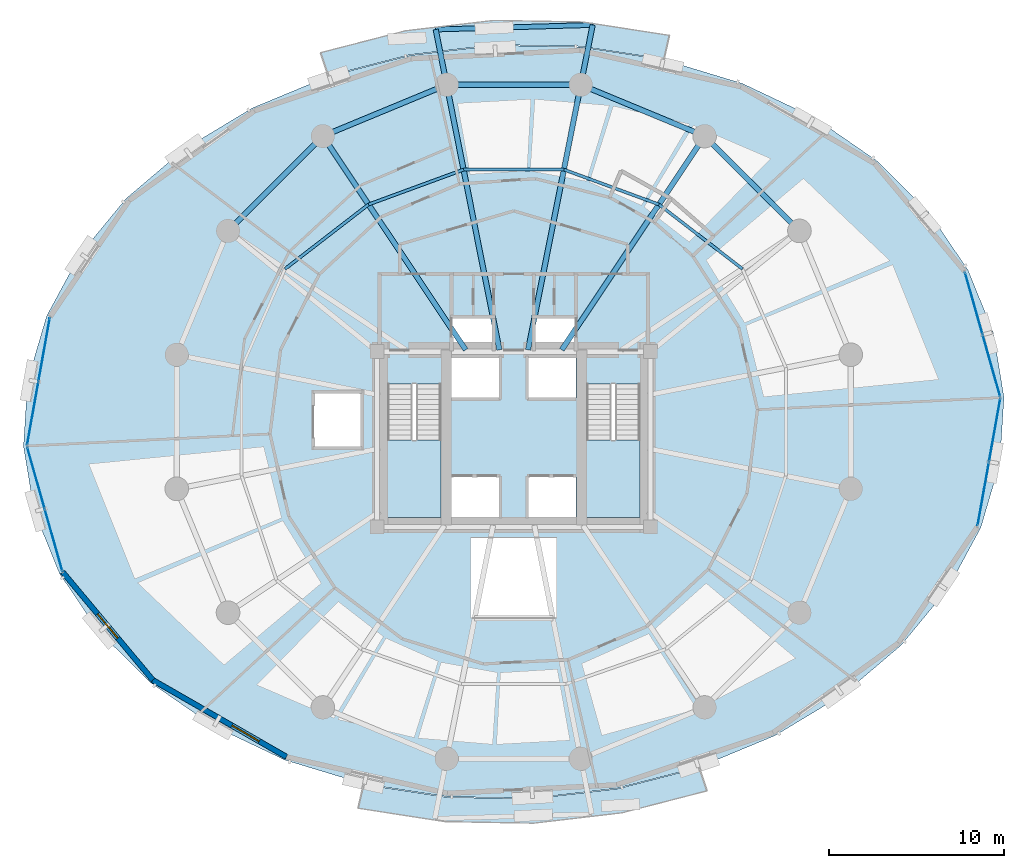
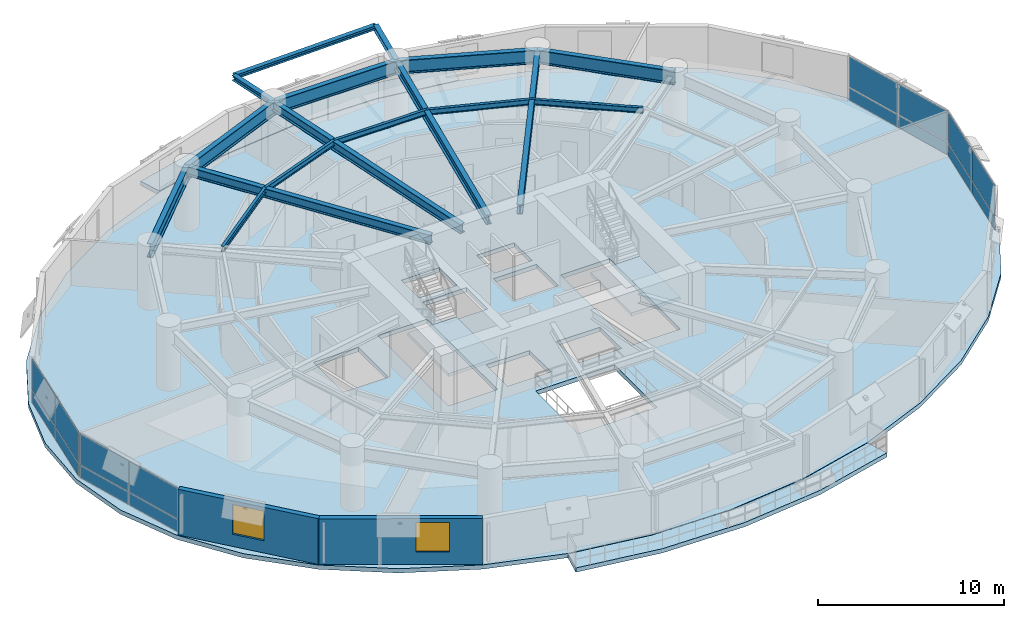
# One storey, part 9 of 16: 17 beams, 16 plates, 5 slabs, 2 walls, 2 windows, 2 openings, 6 elements without a shape of their own.
"""IFC4 building model written with IfcOpenShell, lengths in metres."""

import ifcopenshell
import ifcopenshell.guid

model = None  # the IFC model being written
_history = None  # IfcOwnerHistory: only IFC2X3 demands one
_inside = {}  # id of a spatial element -> (the spatial element, [elements in it])
_under = {}  # id of a project, library or spatial element -> (it, [spatial elements below it])
_declared = {}  # id of a project -> (the project, [libraries it declares])
_typed = {}  # id of a type object -> (the type object, [elements of that type])
_made_of = {}  # id of a material, layer set ... -> (it, [elements and type objects made of it])


def new_model(schema):
    """Start an empty IFC model of exactly this schema.

    Asked for "IFC4X3", IfcOpenShell would pick the latest addendum, in which some entities
    have other attributes; the version numbers below select the first issue.
    IFC2X3 requires an IfcOwnerHistory on every rooted entity: one is made here for all.
    """
    global model, _history
    if schema == "IFC4X3":
        model = ifcopenshell.file(schema_version=(4, 3, 0, 0))
    else:
        model = ifcopenshell.file(schema=schema)
    _inside.clear()
    _under.clear()
    _declared.clear()
    _typed.clear()
    _made_of.clear()
    _history = None
    if model.schema == "IFC2X3":
        org = make("IfcOrganization", Name="unknown")
        user = make(
            "IfcPersonAndOrganization",
            ThePerson=make("IfcPerson", FamilyName="unknown"),
            TheOrganization=org,
        )
        app = make(
            "IfcApplication",
            ApplicationDeveloper=org,
            Version="unknown",
            ApplicationFullName="unknown",
            ApplicationIdentifier="unknown",
        )
        _history = make(
            "IfcOwnerHistory",
            OwningUser=user,
            OwningApplication=app,
            ChangeAction="ADDED",
            CreationDate=0,
        )
    return model


def make(cls, **values):
    """One entity of the class cls with the attributes given. An attribute that is None is left unset."""
    return model.create_entity(
        cls, **{name: value for name, value in values.items() if value is not None}
    )


def rooted(cls, **values):
    """An entity with a GlobalId (a new one), such as an element, a storey or a relation."""
    return make(cls, GlobalId=ifcopenshell.guid.new(), OwnerHistory=_history, **values)


def si_unit(unit_type, name, prefix=None):
    """IfcSIUnit, for example si_unit("LENGTHUNIT", "METRE", prefix="MILLI")."""
    return make("IfcSIUnit", UnitType=unit_type, Prefix=prefix, Name=name)


def assignment(units):
    """IfcUnitAssignment: the units of a project."""
    return None if units is None else make("IfcUnitAssignment", Units=units)


def point(xyz):
    """IfcCartesianPoint."""
    return None if xyz is None else make("IfcCartesianPoint", Coordinates=xyz)


def direction(xyz):
    """IfcDirection."""
    return None if xyz is None else make("IfcDirection", DirectionRatios=xyz)


def frame(location, z_axis=None, x_axis=None):
    """IfcAxis2Placement3D, a coordinate frame: its origin and axes. An axis left out is left unset."""
    return make(
        "IfcAxis2Placement3D",
        Location=point(location),
        Axis=direction(z_axis),
        RefDirection=direction(x_axis),
    )


def frame_2d(location, x_axis=None):
    """IfcAxis2Placement2D, a coordinate frame in the plane: its origin and x axis."""
    return make(
        "IfcAxis2Placement2D", Location=point(location), RefDirection=direction(x_axis)
    )


def origin():
    """The frame at (0, 0, 0) with its axes left unset."""
    return frame((0.0, 0.0, 0.0))


def origin_2d():
    """The frame at (0, 0) in the plane with its x axis left unset."""
    return frame_2d((0.0, 0.0))


def place(relative_to, where):
    """IfcLocalPlacement: puts the frame where relative to a parent placement (None: the world)."""
    return make(
        "IfcLocalPlacement", PlacementRelTo=relative_to, RelativePlacement=where
    )


def context(
    kind, dimensions, precision=None, world=None, true_north=None, identifier=None
):
    """IfcGeometricRepresentationContext, for example the 3D "Model" context."""
    return make(
        "IfcGeometricRepresentationContext",
        ContextIdentifier=identifier,
        ContextType=kind,
        CoordinateSpaceDimension=dimensions,
        Precision=precision,
        WorldCoordinateSystem=world,
        TrueNorth=true_north,
    )


def subcontext(parent, identifier, kind, view, scale=None):
    """IfcGeometricRepresentationSubContext, for example "Body" below "Model"."""
    return make(
        "IfcGeometricRepresentationSubContext",
        ContextIdentifier=identifier,
        ContextType=kind,
        ParentContext=parent,
        TargetScale=scale,
        TargetView=view,
    )


def project(units=None, contexts=None):
    """IfcProject with its units and contexts."""
    return rooted(
        "IfcProject",
        Name="project",
        RepresentationContexts=contexts,
        UnitsInContext=assignment(units),
    )


def spatial(cls, under=None, at=None, **own):
    """A site, building, storey or space (cls), placed at a placement, below another one or the project."""
    s = rooted(cls, ObjectPlacement=at, **own)
    if under is not None:
        _under.setdefault(under.id(), (under, []))[1].append(s)
    return s


def polyline(points):
    """IfcPolyline through the points."""
    return make("IfcPolyline", Points=[point(p) for p in points])


def profile(cls, at=None, kind="AREA", **sizes):
    """A parametric profile (cls). Its sizes go by their IFC names, for example OverallWidth=200.0."""
    return make(cls, ProfileType=kind, Position=at, **sizes)


def rectangle(**sizes):
    """IfcRectangleProfileDef."""
    return profile("IfcRectangleProfileDef", **sizes)


def i_section(**sizes):
    """IfcIShapeProfileDef."""
    return profile("IfcIShapeProfileDef", **sizes)


def outline(outer, holes=None, kind="AREA"):
    """IfcArbitraryClosedProfileDef: a profile drawn as a closed curve; with holes, ...WithVoids."""
    if holes is None:
        return make("IfcArbitraryClosedProfileDef", ProfileType=kind, OuterCurve=outer)
    return make(
        "IfcArbitraryProfileDefWithVoids",
        ProfileType=kind,
        OuterCurve=outer,
        InnerCurves=holes,
    )


def extrude(swept, where, along, depth):
    """IfcExtrudedAreaSolid: the profile swept, set in the frame where, extruded along a direction by depth."""
    return make(
        "IfcExtrudedAreaSolid",
        SweptArea=swept,
        Position=where,
        ExtrudedDirection=direction(along),
        Depth=depth,
    )


def shape(context_of_items, identifier, shape_type, items):
    """IfcShapeRepresentation: the items that make up one representation, for example the "Body"."""
    return make(
        "IfcShapeRepresentation",
        ContextOfItems=context_of_items,
        RepresentationIdentifier=identifier,
        RepresentationType=shape_type,
        Items=items,
    )


def material(Name=None, Category=None):
    """IfcMaterial."""
    return make("IfcMaterial", Name=Name, Category=Category)


def layer(
    of_material, thickness, ventilated=None, Name=None, Category=None, Priority=None
):
    """IfcMaterialLayer: one layer of a wall or slab, of a material (None: an air gap)."""
    return make(
        "IfcMaterialLayer",
        Material=of_material,
        LayerThickness=thickness,
        IsVentilated=ventilated,
        Name=Name,
        Category=Category,
        Priority=Priority,
    )


def layer_set(layers, Name=None):
    """IfcMaterialLayerSet."""
    return make("IfcMaterialLayerSet", MaterialLayers=layers, LayerSetName=Name)


def material_profile(
    of_material, cross_section, Name=None, Category=None, Priority=None
):
    """IfcMaterialProfile: a cross section and its material."""
    return make(
        "IfcMaterialProfile",
        Name=Name,
        Material=of_material,
        Profile=cross_section,
        Priority=Priority,
        Category=Category,
    )


def profile_set(profiles, Name=None, composite=None):
    """IfcMaterialProfileSet."""
    return make(
        "IfcMaterialProfileSet",
        Name=Name,
        MaterialProfiles=profiles,
        CompositeProfile=composite,
    )


def made_of(thing, what):
    """Note that an element or type object is made of a material, layer set ...; save() writes the relation."""
    if what is not None:
        _made_of.setdefault(what.id(), (what, []))[1].append(thing)
    return thing


def type_object(cls, material=None, **own):
    """A type object (cls), such as IfcWallType, which elements share."""
    return made_of(rooted(cls, **own), material)


def element(
    cls,
    number,
    at=None,
    inside=None,
    cuts=None,
    type_object=None,
    material=None,
    context=None,
    identifier="Body",
    shape_type=None,
    held_by="IfcProductDefinitionShape",
    body=None,
    shapes=None,
    **own,
):
    """One element of the class cls, such as IfcWall. Its Tag is "e" and its number.

    at: its placement. inside: the storey or other place that contains it. cuts: it is an
    opening in that element (IfcRelVoidsElement). A single representation is given by context,
    identifier, shape_type and body (its items); several are given by shapes. held_by: the class
    of the entity that holds the representations. save() writes the other relations.
    """
    e = rooted(cls, Tag="e%d" % number, ObjectPlacement=at, **own)
    if body is not None:
        shapes = [shape(context, identifier, shape_type, body)]
    if shapes is not None:
        e.Representation = make(held_by, Representations=shapes)
    if inside is not None:
        _inside.setdefault(inside.id(), (inside, []))[1].append(e)
    if cuts is not None:
        rooted(
            "IfcRelVoidsElement", RelatingBuildingElement=cuts, RelatedOpeningElement=e
        )
    if type_object is not None:
        _typed.setdefault(type_object.id(), (type_object, []))[1].append(e)
    return made_of(e, material)


def fill(opening, filler):
    """IfcRelFillsElement: the door or window that sits in an opening."""
    return rooted(
        "IfcRelFillsElement",
        RelatingOpeningElement=opening,
        RelatedBuildingElement=filler,
    )


def aggregate(whole, parts):
    """IfcRelAggregates: a whole, such as a stair, and the parts it consists of."""
    return rooted("IfcRelAggregates", RelatingObject=whole, RelatedObjects=parts)


def save(model, path):
    """Write the relations noted so far, then the file.

    IfcRelAggregates (storeys below a building ...), IfcRelContainedInSpatialStructure (elements
    in a storey), IfcRelDefinesByType, IfcRelAssociatesMaterial and IfcRelDeclares: one each for
    every whole, place, type object, material and project.
    """
    for whole, parts in _under.values():
        aggregate(whole, parts)
    for where, things in _inside.values():
        rooted(
            "IfcRelContainedInSpatialStructure",
            RelatedElements=things,
            RelatingStructure=where,
        )
    for kind, things in _typed.values():
        rooted("IfcRelDefinesByType", RelatedObjects=things, RelatingType=kind)
    for what, things in _made_of.values():
        rooted("IfcRelAssociatesMaterial", RelatedObjects=things, RelatingMaterial=what)
    for by, libraries in _declared.values():
        rooted("IfcRelDeclares", RelatingContext=by, RelatedDefinitions=libraries)
    model.write(path)


model = new_model("IFC4")

# Units and contexts
model_context = context("Model", 3, precision=1e-05, world=origin(), true_north=direction((0.0, 1.0)))
body_context = subcontext(model_context, "Body", "Model", "MODEL_VIEW")
ifc_project = project(units=[si_unit("LENGTHUNIT", "METRE"), si_unit("AREAUNIT", "SQUARE_METRE"), si_unit("VOLUMEUNIT", "CUBIC_METRE"), si_unit("PLANEANGLEUNIT", "RADIAN"), si_unit("MASSUNIT", "GRAM", prefix="KILO"), si_unit("THERMODYNAMICTEMPERATUREUNIT", "KELVIN"), si_unit("POWERUNIT", "WATT")], contexts=[model_context])

# Site, building, storey
site_placement = place(None, origin())
site = spatial("IfcSite", under=ifc_project, at=site_placement, CompositionType="ELEMENT")
building_placement = place(site_placement, origin())
building = spatial("IfcBuilding", under=site, at=building_placement, Name="Ocrelia Relay Tower", CompositionType="ELEMENT")
storey_placement = place(building_placement, frame((0.0, 0.0, 42.60009765625)))
storey = spatial("IfcBuildingStorey", under=building, at=storey_placement, Name="L09", CompositionType="ELEMENT", Elevation=42.60009765625)

# Beams
ifc_material_1 = material(Name="Steel S355", Category="steel")
ifc_material_profile_1 = material_profile(ifc_material_1, i_section(OverallWidth=0.280029296875, OverallDepth=0.27001953125, WebThickness=0.008056640625, FlangeThickness=0.012939453125, FilletRadius=0.02392578125, at=origin_2d()), Name="HEA 280")
ifc_profile_set_1 = profile_set([ifc_material_profile_1], Name="Steel S355")
beam_type_1 = type_object("IfcBeamType", Name="BM-HEA280", PredefinedType="BEAM", material=ifc_profile_set_1)
beam_1_placement = place(storey_placement, frame((38.502685546875, 48.63671875, 3.784912109375), z_axis=(-0.999584964148, -0.028807975436, 0.0), x_axis=(0.028807975436, -0.999584964148, 0.0)))
element("IfcBeam", 1, at=beam_1_placement, inside=storey, type_object=beam_type_1, Name="L10 Balcony Edge Trimmer Beam B1", PredefinedType="BEAM", context=body_context, shape_type="SweptSolid", body=[
    extrude(i_section(OverallWidth=0.280029296875, OverallDepth=0.27001953125, WebThickness=0.008056640625, FlangeThickness=0.012939453125, FilletRadius=0.02392578125, at=origin_2d()), origin(), (0.0, 0.0, 1.0), 8.957763671875),
])
ifc_material_profile_2 = material_profile(ifc_material_1, i_section(OverallWidth=0.300048828125, OverallDepth=0.330078125, WebThickness=0.009521484375, FlangeThickness=0.0166015625, FilletRadius=0.027099609375, at=origin_2d()), Name="HEA 340")
ifc_profile_set_2 = profile_set([ifc_material_profile_2], Name="Steel S355")
beam_type_2 = type_object("IfcBeamType", Name="BM-HEA340", PredefinedType="BEAM", material=ifc_profile_set_2)
beam_2_placement = place(storey_placement, frame((37.82373046875, 45.223388671875, 3.7548828125), z_axis=(0.195090739838, 0.980785197293, 0.0), x_axis=(-0.980785197293, 0.195090739838, 0.0)))
element("IfcBeam", 2, at=beam_2_placement, inside=storey, type_object=beam_type_2, Name="L10 Balcony Cantilever Beam B1-1", PredefinedType="BEAM", context=body_context, shape_type="SweptSolid", body=[
    extrude(i_section(OverallWidth=0.300048828125, OverallDepth=0.330078125, WebThickness=0.009521484375, FlangeThickness=0.0166015625, FilletRadius=0.027099609375, at=origin_2d()), origin(), (0.0, 0.0, 1.0), 3.480224609375),
])
beam_3_placement = place(storey_placement, frame((30.17626953125, 45.223388671875, 3.7548828125), z_axis=(-0.195109051167, 0.980781554758, 0.0), x_axis=(-0.980781554758, -0.195109051167, 0.0)))
element("IfcBeam", 3, at=beam_3_placement, inside=storey, type_object=beam_type_2, Name="L10 Balcony Cantilever Beam B1-2", PredefinedType="BEAM", context=body_context, shape_type="SweptSolid", body=[
    extrude(i_section(OverallWidth=0.300048828125, OverallDepth=0.330078125, WebThickness=0.009521484375, FlangeThickness=0.0166015625, FilletRadius=0.027099609375, at=origin_2d()), origin(), (0.0, 0.0, 1.0), 3.217041015625),
])
ifc_material_profile_3 = material_profile(ifc_material_1, i_section(OverallWidth=0.300048828125, OverallDepth=0.60009765625, WebThickness=0.015380859375, FlangeThickness=0.030029296875, FilletRadius=0.027099609375, at=origin_2d()), Name="HEB 600")
ifc_profile_set_3 = profile_set([ifc_material_profile_3], Name="Steel S355")
beam_type_3 = type_object("IfcBeamType", Name="BM-HEB600", PredefinedType="BEAM", material=ifc_profile_set_3)
beam_4_placement = place(storey_placement, frame((44.88916015625, 42.296875, 3.619873046875), z_axis=(-0.555564422059, -0.831473495033, 0.0), x_axis=(0.831473495033, -0.555564422059, 0.0)))
element("IfcBeam", 4, at=beam_4_placement, inside=storey, type_object=beam_type_3, Name="L09 Radial Floor Girder R03", PredefinedType="BEAM", context=body_context, shape_type="SweptSolid", body=[
    extrude(i_section(OverallWidth=0.300048828125, OverallDepth=0.60009765625, WebThickness=0.015380859375, FlangeThickness=0.030029296875, FilletRadius=0.027099609375, at=origin_2d()), origin(), (0.0, 0.0, 1.0), 14.6630859375),
])
for number, where, z_axis, x_axis, name in (
    (5, (37.82373046875, 45.223388671875, 3.619873046875), (-0.19509567956, -0.980784214706, 0.0), (0.980784214706, -0.19509567956, 0.0), "L09 Radial Floor Girder R04"),
    (6, (30.17626953125, 45.223388671875, 3.619873046875), (0.19509567956, -0.980784214706, 0.0), (0.980784214706, 0.19509567956, 0.0), "L09 Radial Floor Girder R05"),
):
    element("IfcBeam", number, at=place(storey_placement, frame(where, z_axis=z_axis, x_axis=x_axis)), inside=storey, type_object=beam_type_3, Name=name, PredefinedType="BEAM", context=body_context, shape_type="SweptSolid", body=[
        extrude(i_section(OverallWidth=0.300048828125, OverallDepth=0.60009765625, WebThickness=0.015380859375, FlangeThickness=0.030029296875, FilletRadius=0.027099609375, at=origin_2d()), origin(), (0.0, 0.0, 1.0), 15.41455078125),
    ])
beam_5_placement = place(storey_placement, frame((23.11083984375, 42.296875, 3.619873046875), z_axis=(0.555564422059, -0.831473495033, 0.0), x_axis=(0.831473495033, 0.555564422059, 0.0)))
element("IfcBeam", 7, at=beam_5_placement, inside=storey, type_object=beam_type_3, Name="L09 Radial Floor Girder R06", PredefinedType="BEAM", context=body_context, shape_type="SweptSolid", body=[
    extrude(i_section(OverallWidth=0.300048828125, OverallDepth=0.60009765625, WebThickness=0.015380859375, FlangeThickness=0.030029296875, FilletRadius=0.027099609375, at=origin_2d()), origin(), (0.0, 0.0, 1.0), 14.6630859375),
])
ifc_material_profile_4 = material_profile(ifc_material_1, i_section(OverallWidth=0.300048828125, OverallDepth=0.89990234375, WebThickness=0.0185546875, FlangeThickness=0.034912109375, FilletRadius=0.030029296875, at=origin_2d()), Name="HEB 900")
ifc_profile_set_4 = profile_set([ifc_material_profile_4], Name="Steel S355")
beam_type_4 = type_object("IfcBeamType", Name="BM-HEB900", PredefinedType="BEAM", material=ifc_profile_set_4)
beam_6_placement = place(storey_placement, frame((50.296875, 36.88916015625, 3.469970703125), z_axis=(-0.707106781187, 0.707106781187, 0.0), x_axis=(-0.707106781187, -0.707106781187, 0.0)))
element("IfcBeam", 8, at=beam_6_placement, inside=storey, type_object=beam_type_4, Name="L09 Perimeter Spandrel Beam S02", PredefinedType="BEAM", context=body_context, shape_type="SweptSolid", body=[
    extrude(i_section(OverallWidth=0.300048828125, OverallDepth=0.89990234375, WebThickness=0.0185546875, FlangeThickness=0.034912109375, FilletRadius=0.030029296875, at=origin_2d()), origin(), (0.0, 0.0, 1.0), 7.647705078125),
])
for number, where, z_axis, x_axis, name in (
    (9, (44.88916015625, 42.296875, 3.469970703125), (-0.923883375589, 0.382674154222, 0.0), (-0.382674154222, -0.923883375589, 0.0), "L09 Perimeter Spandrel Beam S03"),
    (10, (37.82373046875, 45.223388671875, 3.469970703125), (-1.0, 0.0, 0.0), (0.0, -1.0, 0.0), "L09 Perimeter Spandrel Beam S04"),
    (11, (30.17626953125, 45.223388671875, 3.469970703125), (-0.923883375589, -0.382674154222, 0.0), (0.382674154222, -0.923883375589, 0.0), "L09 Perimeter Spandrel Beam S05"),
):
    element("IfcBeam", number, at=place(storey_placement, frame(where, z_axis=z_axis, x_axis=x_axis)), inside=storey, type_object=beam_type_4, Name=name, PredefinedType="BEAM", context=body_context, shape_type="SweptSolid", body=[
        extrude(i_section(OverallWidth=0.300048828125, OverallDepth=0.89990234375, WebThickness=0.0185546875, FlangeThickness=0.034912109375, FilletRadius=0.030029296875, at=origin_2d()), origin(), (0.0, 0.0, 1.0), 7.6474609375),
    ])
beam_7_placement = place(storey_placement, frame((23.11083984375, 42.296875, 3.469970703125), z_axis=(-0.707106781187, -0.707106781187, 0.0), x_axis=(0.707106781187, -0.707106781187, 0.0)))
element("IfcBeam", 12, at=beam_7_placement, inside=storey, type_object=beam_type_4, Name="L09 Perimeter Spandrel Beam S06", PredefinedType="BEAM", context=body_context, shape_type="SweptSolid", body=[
    extrude(i_section(OverallWidth=0.300048828125, OverallDepth=0.89990234375, WebThickness=0.0185546875, FlangeThickness=0.034912109375, FilletRadius=0.030029296875, at=origin_2d()), origin(), (0.0, 0.0, 1.0), 7.647705078125),
])
ifc_material_profile_5 = material_profile(ifc_material_1, i_section(OverallWidth=0.169921875, OverallDepth=0.360107421875, WebThickness=0.008056640625, FlangeThickness=0.0126953125, FilletRadius=0.01806640625, at=origin_2d()), Name="IPE 360")
ifc_profile_set_5 = profile_set([ifc_material_profile_5], Name="Steel S355")
beam_type_5 = type_object("IfcBeamType", Name="BM-IPE360", PredefinedType="JOIST", material=ifc_profile_set_5)
beam_8_placement = place(storey_placement, frame((47.0478515625, 34.71826171875, 3.739990234375), z_axis=(-0.791694256239, 0.610917510502, 0.0), x_axis=(-0.610917510502, -0.791694256239, 0.0)))
element("IfcBeam", 13, at=beam_8_placement, inside=storey, type_object=beam_type_5, Name="L09 Secondary Floor Joist J02", PredefinedType="JOIST", context=body_context, shape_type="SweptSolid", body=[
    extrude(i_section(OverallWidth=0.169921875, OverallDepth=0.360107421875, WebThickness=0.008056640625, FlangeThickness=0.0126953125, FilletRadius=0.01806640625, at=origin_2d()), origin(), (0.0, 0.0, 1.0), 6.019287109375),
])
beam_9_placement = place(storey_placement, frame((42.282470703125, 38.3955078125, 3.739990234375), z_axis=(-0.938745977034, 0.344609910773, 0.0), x_axis=(-0.344609910773, -0.938745977034, 0.0)))
element("IfcBeam", 14, at=beam_9_placement, inside=storey, type_object=beam_type_5, Name="L09 Secondary Floor Joist J03", PredefinedType="JOIST", context=body_context, shape_type="SweptSolid", body=[
    extrude(i_section(OverallWidth=0.169921875, OverallDepth=0.360107421875, WebThickness=0.008056640625, FlangeThickness=0.0126953125, FilletRadius=0.01806640625, at=origin_2d()), origin(), (0.0, 0.0, 1.0), 5.774658203125),
])
beam_10_placement = place(storey_placement, frame((36.861572265625, 40.385498046875, 3.739990234375), z_axis=(-1.0, 0.0, 0.0), x_axis=(0.0, -1.0, 0.0)))
element("IfcBeam", 15, at=beam_10_placement, inside=storey, type_object=beam_type_5, Name="L09 Secondary Floor Joist J04", PredefinedType="JOIST", context=body_context, shape_type="SweptSolid", body=[
    extrude(i_section(OverallWidth=0.169921875, OverallDepth=0.360107421875, WebThickness=0.008056640625, FlangeThickness=0.0126953125, FilletRadius=0.01806640625, at=origin_2d()), origin(), (0.0, 0.0, 1.0), 5.72314453125),
])
beam_11_placement = place(storey_placement, frame((31.138427734375, 40.385498046875, 3.739990234375), z_axis=(-0.938745977034, -0.344609910773, 0.0), x_axis=(0.344609910773, -0.938745977034, 0.0)))
element("IfcBeam", 16, at=beam_11_placement, inside=storey, type_object=beam_type_5, Name="L09 Secondary Floor Joist J05", PredefinedType="JOIST", context=body_context, shape_type="SweptSolid", body=[
    extrude(i_section(OverallWidth=0.169921875, OverallDepth=0.360107421875, WebThickness=0.008056640625, FlangeThickness=0.0126953125, FilletRadius=0.01806640625, at=origin_2d()), origin(), (0.0, 0.0, 1.0), 5.774658203125),
])
beam_12_placement = place(storey_placement, frame((25.717529296875, 38.3955078125, 3.739990234375), z_axis=(-0.791694256239, -0.610917510502, 0.0), x_axis=(0.610917510502, -0.791694256239, 0.0)))
element("IfcBeam", 17, at=beam_12_placement, inside=storey, type_object=beam_type_5, Name="L09 Secondary Floor Joist J06", PredefinedType="JOIST", context=body_context, shape_type="SweptSolid", body=[
    extrude(i_section(OverallWidth=0.169921875, OverallDepth=0.360107421875, WebThickness=0.008056640625, FlangeThickness=0.0126953125, FilletRadius=0.01806640625, at=origin_2d()), origin(), (0.0, 0.0, 1.0), 6.019287109375),
])

# Curtain wall, plates
ifc_material_2 = material(Name="Aluminium and solar-control low-E glass", Category="aluminium")
ifc_layer_1 = layer(ifc_material_2, 0.179931640625, Name="Aluminium and solar-control low-E glass")
ifc_layer_set_1 = layer_set([ifc_layer_1], Name="Aluminium and solar-control low-E glass")
curtain_wall_type = type_object("IfcCurtainWallType", Name="CW-SYS-Z1-DATA", PredefinedType="NOTDEFINED", material=ifc_layer_set_1)
curtain_wall_1_placement = place(storey_placement, origin())
curtain_wall_1 = element("IfcCurtainWall", 18, at=curtain_wall_1_placement, inside=storey, type_object=curtain_wall_type, Name="L09 Elliptical Tower Curtain Wall Bay 01", PredefinedType="NOTDEFINED")
ifc_material_3 = material(Name="Clear double-glazed low-E glass", Category="glass")
ifc_layer_2 = layer(ifc_material_3, 0.031982421875, Name="Clear double-glazed low-E glass")
ifc_layer_set_2 = layer_set([ifc_layer_2], Name="Clear double-glazed low-E glass")
plate_type = type_object("IfcPlateType", Name="CW-SYS-Z1-DATA-PNL", PredefinedType="CURTAIN_PANEL", material=ifc_layer_set_2)
plate_1_placement = place(storey_placement, frame((61.251708984375, 29.197265625, 0.06494140625), z_axis=(0.0, 0.0, 1.0), x_axis=(-0.27245355901, 0.962168934326, 0.0)))
plate_1 = element("IfcPlate", 19, at=plate_1_placement, type_object=plate_type, Name="CW-Z1 panel 1.1", PredefinedType="CURTAIN_PANEL", context=body_context, shape_type="SweptSolid", body=[
    extrude(rectangle(XDim=3.6328125, YDim=0.031982421875, at=origin_2d()), origin(), (0.0, 0.0, 1.0), 0.802490234375),
])
plate_2_placement = place(storey_placement, frame((61.251708984375, 29.197265625, 0.932373046875), z_axis=(0.0, 0.0, 1.0), x_axis=(-0.27245355901, 0.962168934326, 0.0)))
plate_2 = element("IfcPlate", 20, at=plate_2_placement, type_object=plate_type, Name="CW-Z1 panel 1.2", PredefinedType="CURTAIN_PANEL", context=body_context, shape_type="SweptSolid", body=[
    extrude(rectangle(XDim=3.6328125, YDim=0.031982421875, at=origin_2d()), origin(), (0.0, 0.0, 1.0), 2.00244140625),
])
plate_3_placement = place(storey_placement, frame((60.242919921875, 32.760009765625, 0.06494140625), z_axis=(0.0, 0.0, 1.0), x_axis=(-0.27245355901, 0.962168934326, 0.0)))
plate_3 = element("IfcPlate", 21, at=plate_3_placement, type_object=plate_type, Name="CW-Z1 panel 2.1", PredefinedType="CURTAIN_PANEL", context=body_context, shape_type="SweptSolid", body=[
    extrude(rectangle(XDim=3.6328125, YDim=0.031982421875, at=origin_2d()), origin(), (0.0, 0.0, 1.0), 0.802490234375),
])
plate_4_placement = place(storey_placement, frame((60.242919921875, 32.760009765625, 0.932373046875), z_axis=(0.0, 0.0, 1.0), x_axis=(-0.27245355901, 0.962168934326, 0.0)))
plate_4 = element("IfcPlate", 22, at=plate_4_placement, type_object=plate_type, Name="CW-Z1 panel 2.2", PredefinedType="CURTAIN_PANEL", context=body_context, shape_type="SweptSolid", body=[
    extrude(rectangle(XDim=3.6328125, YDim=0.031982421875, at=origin_2d()), origin(), (0.0, 0.0, 1.0), 2.00244140625),
])
aggregate(curtain_wall_1, [plate_1, plate_2, plate_3, plate_4])

curtain_wall_2_placement = place(storey_placement, origin())
curtain_wall_2 = element("IfcCurtainWall", 23, at=curtain_wall_2_placement, inside=storey, type_object=curtain_wall_type, Name="L09 Elliptical Tower Curtain Wall Bay 09", PredefinedType="NOTDEFINED")
plate_5_placement = place(storey_placement, frame((7.215576171875, 30.1201171875, 0.06494140625), z_axis=(0.0, 0.0, 1.0), x_axis=(-0.175534136375, -0.984473344975, 0.0)))
plate_5 = element("IfcPlate", 24, at=plate_5_placement, type_object=plate_type, Name="CW-Z1 panel 1.1", PredefinedType="CURTAIN_PANEL", context=body_context, shape_type="SweptSolid", body=[
    extrude(rectangle(XDim=3.6328125, YDim=0.031982421875, at=origin_2d()), origin(), (0.0, 0.0, 1.0), 0.802490234375),
])
plate_6_placement = place(storey_placement, frame((7.215576171875, 30.1201171875, 0.932373046875), z_axis=(0.0, 0.0, 1.0), x_axis=(-0.175534136375, -0.984473344975, 0.0)))
plate_6 = element("IfcPlate", 25, at=plate_6_placement, type_object=plate_type, Name="CW-Z1 panel 1.2", PredefinedType="CURTAIN_PANEL", context=body_context, shape_type="SweptSolid", body=[
    extrude(rectangle(XDim=3.6328125, YDim=0.031982421875, at=origin_2d()), origin(), (0.0, 0.0, 1.0), 2.00244140625),
])
plate_7_placement = place(storey_placement, frame((6.5654296875, 26.474853515625, 0.06494140625), z_axis=(0.0, 0.0, 1.0), x_axis=(-0.175534136375, -0.984473344975, 0.0)))
plate_7 = element("IfcPlate", 26, at=plate_7_placement, type_object=plate_type, Name="CW-Z1 panel 2.1", PredefinedType="CURTAIN_PANEL", context=body_context, shape_type="SweptSolid", body=[
    extrude(rectangle(XDim=3.6328125, YDim=0.031982421875, at=origin_2d()), origin(), (0.0, 0.0, 1.0), 0.802490234375),
])
plate_8_placement = place(storey_placement, frame((6.5654296875, 26.474853515625, 0.932373046875), z_axis=(0.0, 0.0, 1.0), x_axis=(-0.175534136375, -0.984473344975, 0.0)))
plate_8 = element("IfcPlate", 27, at=plate_8_placement, type_object=plate_type, Name="CW-Z1 panel 2.2", PredefinedType="CURTAIN_PANEL", context=body_context, shape_type="SweptSolid", body=[
    extrude(rectangle(XDim=3.6328125, YDim=0.031982421875, at=origin_2d()), origin(), (0.0, 0.0, 1.0), 2.00244140625),
])
aggregate(curtain_wall_2, [plate_5, plate_6, plate_7, plate_8])

curtain_wall_3_placement = place(storey_placement, origin())
curtain_wall_3 = element("IfcCurtainWall", 28, at=curtain_wall_3_placement, inside=storey, type_object=curtain_wall_type, Name="L09 Elliptical Tower Curtain Wall Bay 10", PredefinedType="NOTDEFINED")
plate_9_placement = place(storey_placement, frame((6.748291015625, 22.802734375, 0.06494140625), z_axis=(0.0, 0.0, 1.0), x_axis=(0.27245355901, -0.962168934326, 0.0)))
plate_9 = element("IfcPlate", 29, at=plate_9_placement, type_object=plate_type, Name="CW-Z1 panel 1.1", PredefinedType="CURTAIN_PANEL", context=body_context, shape_type="SweptSolid", body=[
    extrude(rectangle(XDim=3.6328125, YDim=0.031982421875, at=origin_2d()), origin(), (0.0, 0.0, 1.0), 0.802490234375),
])
plate_10_placement = place(storey_placement, frame((6.748291015625, 22.802734375, 0.932373046875), z_axis=(0.0, 0.0, 1.0), x_axis=(0.27245355901, -0.962168934326, 0.0)))
plate_10 = element("IfcPlate", 30, at=plate_10_placement, type_object=plate_type, Name="CW-Z1 panel 1.2", PredefinedType="CURTAIN_PANEL", context=body_context, shape_type="SweptSolid", body=[
    extrude(rectangle(XDim=3.6328125, YDim=0.031982421875, at=origin_2d()), origin(), (0.0, 0.0, 1.0), 2.00244140625),
])
plate_11_placement = place(storey_placement, frame((7.757080078125, 19.239990234375, 0.06494140625), z_axis=(0.0, 0.0, 1.0), x_axis=(0.27245355901, -0.962168934326, 0.0)))
plate_11 = element("IfcPlate", 31, at=plate_11_placement, type_object=plate_type, Name="CW-Z1 panel 2.1", PredefinedType="CURTAIN_PANEL", context=body_context, shape_type="SweptSolid", body=[
    extrude(rectangle(XDim=3.6328125, YDim=0.031982421875, at=origin_2d()), origin(), (0.0, 0.0, 1.0), 0.802490234375),
])
plate_12_placement = place(storey_placement, frame((7.757080078125, 19.239990234375, 0.932373046875), z_axis=(0.0, 0.0, 1.0), x_axis=(0.27245355901, -0.962168934326, 0.0)))
plate_12 = element("IfcPlate", 32, at=plate_12_placement, type_object=plate_type, Name="CW-Z1 panel 2.2", PredefinedType="CURTAIN_PANEL", context=body_context, shape_type="SweptSolid", body=[
    extrude(rectangle(XDim=3.6328125, YDim=0.031982421875, at=origin_2d()), origin(), (0.0, 0.0, 1.0), 2.00244140625),
])
aggregate(curtain_wall_3, [plate_9, plate_10, plate_11, plate_12])

curtain_wall_4_placement = place(storey_placement, origin())
curtain_wall_4 = element("IfcCurtainWall", 33, at=curtain_wall_4_placement, inside=storey, type_object=curtain_wall_type, Name="L09 Elliptical Tower Curtain Wall Bay 18", PredefinedType="NOTDEFINED")
plate_13_placement = place(storey_placement, frame((60.784423828125, 21.8798828125, 0.06494140625), z_axis=(0.0, 0.0, 1.0), x_axis=(0.175534136375, 0.984473344975, 0.0)))
plate_13 = element("IfcPlate", 34, at=plate_13_placement, type_object=plate_type, Name="CW-Z1 panel 1.1", PredefinedType="CURTAIN_PANEL", context=body_context, shape_type="SweptSolid", body=[
    extrude(rectangle(XDim=3.6328125, YDim=0.031982421875, at=origin_2d()), origin(), (0.0, 0.0, 1.0), 0.802490234375),
])
plate_14_placement = place(storey_placement, frame((60.784423828125, 21.8798828125, 0.932373046875), z_axis=(0.0, 0.0, 1.0), x_axis=(0.175534136375, 0.984473344975, 0.0)))
plate_14 = element("IfcPlate", 35, at=plate_14_placement, type_object=plate_type, Name="CW-Z1 panel 1.2", PredefinedType="CURTAIN_PANEL", context=body_context, shape_type="SweptSolid", body=[
    extrude(rectangle(XDim=3.6328125, YDim=0.031982421875, at=origin_2d()), origin(), (0.0, 0.0, 1.0), 2.00244140625),
])
plate_15_placement = place(storey_placement, frame((61.4345703125, 25.525146484375, 0.06494140625), z_axis=(0.0, 0.0, 1.0), x_axis=(0.175534136375, 0.984473344975, 0.0)))
plate_15 = element("IfcPlate", 36, at=plate_15_placement, type_object=plate_type, Name="CW-Z1 panel 2.1", PredefinedType="CURTAIN_PANEL", context=body_context, shape_type="SweptSolid", body=[
    extrude(rectangle(XDim=3.6328125, YDim=0.031982421875, at=origin_2d()), origin(), (0.0, 0.0, 1.0), 0.802490234375),
])
plate_16_placement = place(storey_placement, frame((61.4345703125, 25.525146484375, 0.932373046875), z_axis=(0.0, 0.0, 1.0), x_axis=(0.175534136375, 0.984473344975, 0.0)))
plate_16 = element("IfcPlate", 37, at=plate_16_placement, type_object=plate_type, Name="CW-Z1 panel 2.2", PredefinedType="CURTAIN_PANEL", context=body_context, shape_type="SweptSolid", body=[
    extrude(rectangle(XDim=3.6328125, YDim=0.031982421875, at=origin_2d()), origin(), (0.0, 0.0, 1.0), 2.00244140625),
])
aggregate(curtain_wall_4, [plate_13, plate_14, plate_15, plate_16])

# Slabs
ifc_material_4 = material(Name="Precast concrete C40/50", Category="concrete")
ifc_layer_3 = layer(ifc_material_4, 0.280029296875, Name="Precast concrete C40/50")
ifc_layer_set_3 = layer_set([ifc_layer_3], Name="Precast concrete C40/50")
slab_type_1 = type_object("IfcSlabType", Name="SL-BALC-280", PredefinedType="FLOOR", material=ifc_layer_set_3)
slab_1_placement = place(storey_placement, frame((0.0, 0.0, -0.280029296875)))
element("IfcSlab", 38, at=slab_1_placement, inside=storey, type_object=slab_type_1, Name="L09 Planted Loggia Balcony B1", PredefinedType="FLOOR", context=body_context, shape_type="SweptSolid", body=[
    extrude(outline(polyline([(42.56689453125, 46.683837890625), (40.186279296875, 47.051513671875), (37.805908203125, 47.4189453125), (32.929443359375, 47.50341796875), (28.085693359375, 46.93505859375), (25.75341796875, 46.3330078125), (23.421142578125, 45.730712890625), (22.978759765625, 47.052001953125), (25.404296875, 47.67822265625), (27.82958984375, 48.304443359375), (32.860107421875, 48.894775390625), (37.924560546875, 48.806884765625), (40.400146484375, 48.4248046875), (42.8759765625, 48.042724609375), (42.56689453125, 46.683837890625)])), origin(), (0.0, 0.0, 1.0), 0.280029296875),
])
slab_2_placement = place(storey_placement, frame((0.0, 0.0, -0.280029296875)))
element("IfcSlab", 39, at=slab_2_placement, inside=storey, type_object=slab_type_1, Name="L09 Planted Loggia Balcony B2", PredefinedType="FLOOR", context=body_context, shape_type="SweptSolid", body=[
    extrude(outline(polyline([(25.43310546875, 5.316162109375), (27.8134765625, 4.948486328125), (30.194091796875, 4.5810546875), (35.070556640625, 4.49658203125), (39.914306640625, 5.06494140625), (42.24658203125, 5.667236328125), (44.578857421875, 6.269287109375), (45.021240234375, 4.947998046875), (42.595703125, 4.32177734375), (40.17041015625, 3.695556640625), (35.139892578125, 3.105224609375), (30.075439453125, 3.193115234375), (27.599853515625, 3.5751953125), (25.1240234375, 3.957275390625), (25.43310546875, 5.316162109375)])), origin(), (0.0, 0.0, 1.0), 0.280029296875),
])
ifc_material_5 = material(Name="Concrete C50/60", Category="concrete")
ifc_layer_4 = layer(ifc_material_5, 0.280029296875, Name="Concrete C50/60")
ifc_layer_set_4 = layer_set([ifc_layer_4], Name="Concrete C50/60")
slab_type_2 = type_object("IfcSlabType", Name="SL-FLR-280", PredefinedType="FLOOR", material=ifc_layer_set_4)
slab_3_placement = place(storey_placement, frame((0.0, 0.0, -0.280029296875)))
element("IfcSlab", 40, at=slab_3_placement, inside=storey, type_object=slab_type_2, Name="L09 Elliptical Tower Floor Slab", PredefinedType="FLOOR", context=body_context, shape_type="SweptSolid", body=[
    extrude(outline(polyline([(61.96533203125, 27.39208984375), (61.35498046875, 31.099853515625), (59.9130859375, 34.652587890625), (57.68408203125, 37.9423828125), (54.735595703125, 40.869384765625), (51.156982421875, 43.344482421875), (47.056884765625, 45.29248046875), (42.560302734375, 46.654541015625), (37.803466796875, 47.388916015625), (32.930908203125, 47.473388671875), (28.091064453125, 46.905517578125), (23.4306640625, 45.7021484375), (19.091552734375, 43.900390625), (15.205322265625, 41.5546875), (11.89013671875, 38.736328125), (9.246826171875, 35.531005859375), (7.35546875, 32.0361328125), (6.27392578125, 28.35791015625), (6.03466796875, 24.60791015625), (6.64501953125, 20.900146484375), (8.0869140625, 17.347412109375), (10.31591796875, 14.0576171875), (13.264404296875, 11.130615234375), (16.843017578125, 8.655517578125), (20.943115234375, 6.70751953125), (25.439697265625, 5.345458984375), (30.196533203125, 4.611083984375), (35.069091796875, 4.526611328125), (39.908935546875, 5.094482421875), (44.5693359375, 6.2978515625), (48.908447265625, 8.099609375), (52.794677734375, 10.4453125), (56.10986328125, 13.263671875), (58.753173828125, 16.468994140625), (60.64453125, 19.9638671875), (61.72607421875, 23.64208984375), (61.96533203125, 27.39208984375)]), holes=[polyline([(26.81005859375, 28.14990234375), (26.81005859375, 20.550048828125), (29.85009765625, 20.550048828125), (29.85009765625, 28.14990234375), (26.81005859375, 28.14990234375)]), polyline([(38.159912109375, 28.14990234375), (38.159912109375, 20.550048828125), (41.199951171875, 20.550048828125), (41.199951171875, 28.14990234375), (38.159912109375, 28.14990234375)]), polyline([(30.4599609375, 20.550048828125), (33.159912109375, 20.550048828125), (33.159912109375, 22.85009765625), (30.4599609375, 22.85009765625), (30.4599609375, 20.550048828125)]), polyline([(34.840087890625, 20.550048828125), (37.5400390625, 20.550048828125), (37.5400390625, 22.85009765625), (34.840087890625, 22.85009765625), (34.840087890625, 20.550048828125)]), polyline([(30.4599609375, 27.35009765625), (33.159912109375, 27.35009765625), (33.159912109375, 29.64990234375), (30.4599609375, 29.64990234375), (30.4599609375, 27.35009765625)]), polyline([(34.840087890625, 27.35009765625), (37.5400390625, 27.35009765625), (37.5400390625, 29.64990234375), (34.840087890625, 29.64990234375), (34.840087890625, 27.35009765625)]), polyline([(30.5, 30.10009765625), (32.85009765625, 30.10009765625), (32.85009765625, 32.0), (30.5, 32.0), (30.5, 30.10009765625)]), polyline([(35.14990234375, 30.10009765625), (37.5, 30.10009765625), (37.5, 32.0), (35.14990234375, 32.0), (35.14990234375, 30.10009765625)]), polyline([(22.550048828125, 24.5), (25.35009765625, 24.5), (25.35009765625, 27.699951171875), (22.550048828125, 27.699951171875), (22.550048828125, 24.5)]), polyline([(31.550048828125, 14.800048828125), (36.449951171875, 14.800048828125), (36.449951171875, 19.39990234375), (31.550048828125, 19.39990234375), (31.550048828125, 14.800048828125)])]), origin(), (0.0, 0.0, 1.0), 0.280029296875),
])

# Stair, slab
stair_type = type_object("IfcStairType", Name="ST-DL-1420-R175", PredefinedType="HALF_TURN_STAIR", material=ifc_material_5)
stair_1_placement = place(storey_placement, origin())
stair_1 = element("IfcStair", 41, at=stair_1_placement, inside=storey, type_object=stair_type, Name="L09 West Core Exit Stair ST1", PredefinedType="HALF_TURN_STAIR")
ifc_layer_5 = layer(ifc_material_5, 0.199951171875, Name="Concrete C50/60")
ifc_layer_set_5 = layer_set([ifc_layer_5], Name="Concrete C50/60")
slab_type_3 = type_object("IfcSlabType", Name="SL-LANDING-200", PredefinedType="LANDING", material=ifc_layer_set_5)
slab_4_placement = place(storey_placement, frame((0.0, 0.0, 1.89990234375)))
slab_4 = element("IfcSlab", 42, at=slab_4_placement, type_object=slab_type_3, Name="ST1 landing 1", PredefinedType="LANDING", context=body_context, shape_type="SweptSolid", body=[
    extrude(outline(polyline([(26.81005859375, 24.9599609375), (26.81005859375, 20.550048828125), (29.85009765625, 20.550048828125), (29.85009765625, 24.9599609375), (26.81005859375, 24.9599609375)])), origin(), (0.0, 0.0, 1.0), 0.199951171875),
])
aggregate(stair_1, [slab_4])

stair_2_placement = place(storey_placement, origin())
stair_2 = element("IfcStair", 43, at=stair_2_placement, inside=storey, type_object=stair_type, Name="L09 East Core Exit Stair ST2", PredefinedType="HALF_TURN_STAIR")
slab_5_placement = place(storey_placement, frame((0.0, 0.0, 1.89990234375)))
slab_5 = element("IfcSlab", 44, at=slab_5_placement, type_object=slab_type_3, Name="ST2 landing 1", PredefinedType="LANDING", context=body_context, shape_type="SweptSolid", body=[
    extrude(outline(polyline([(38.159912109375, 24.9599609375), (38.159912109375, 20.550048828125), (41.199951171875, 20.550048828125), (41.199951171875, 24.9599609375), (38.159912109375, 24.9599609375)])), origin(), (0.0, 0.0, 1.0), 0.199951171875),
])
aggregate(stair_2, [slab_5])

# Wall, opening, window
ifc_material_6 = material(Name="Precast concrete C40/50 with oxide terracotta", Category="masonry")
ifc_layer_6 = layer(ifc_material_6, 0.300048828125, Name="Precast concrete C40/50 with oxide terracotta")
ifc_layer_set_6 = layer_set([ifc_layer_6], Name="Precast concrete C40/50 with oxide terracotta")
wall_type = type_object("IfcWallType", Name="W-EXT-TERR-300", PredefinedType="SOLIDWALL", material=ifc_layer_set_6)
wall_1_placement = place(storey_placement, frame((8.27099609375, 17.425048828125, 0.0), z_axis=(0.0, 0.0, 1.0), x_axis=(0.640779936228, -0.767724607739, 0.0)))
wall_1 = element("IfcWall", 45, at=wall_1_placement, inside=storey, type_object=wall_type, Name="L09 Oxide Terracotta Facade Wall 11", PredefinedType="SOLIDWALL", context=body_context, shape_type="SweptSolid", body=[
    extrude(rectangle(XDim=8.021728515625, YDim=0.300048828125, at=frame_2d((4.0107421875, 0.0))), origin(), (0.0, 0.0, 1.0), 3.0),
])
opening_1_placement = place(wall_1_placement, frame((3.111083984375, 0.0, 0.800048828125)))
opening_1 = element("IfcOpeningElement", 46, at=opening_1_placement, cuts=wall_1, Name="Opening W-02", PredefinedType="OPENING", context=body_context, shape_type="SweptSolid", body=[
    extrude(rectangle(XDim=1.800048828125, YDim=1.949951171875, at=frame_2d((0.89990234375, 0.97509765625))), frame((0.0, 0.16015625, 0.0), z_axis=(0.0, -1.0, 0.0), x_axis=(1.0, 0.0, 0.0)), (0.0, 0.0, 1.0), 0.320068359375),
])
window_type = type_object("IfcWindowType", Name="WIN-Z1-1800x2100", PartitioningType="DOUBLE_PANEL_VERTICAL", PredefinedType="WINDOW", material=ifc_material_3)
window_1_placement = place(opening_1_placement, origin())
window_1 = element("IfcWindow", 47, at=window_1_placement, inside=storey, type_object=window_type, Name="L09 Facade Module Window 11", OverallHeight=1.949951171875, OverallWidth=1.800048828125, PartitioningType="SINGLE_PANEL", PredefinedType="WINDOW", context=body_context, shape_type="SweptSolid", body=[
    extrude(rectangle(XDim=1.800048828125, YDim=1.949951171875, at=frame_2d((0.89990234375, 0.97509765625))), frame((0.0, 0.030029296875, 0.0), z_axis=(0.0, -1.0, 0.0), x_axis=(1.0, 0.0, 0.0)), (0.0, 0.0, 1.0), 0.06005859375),
])
fill(opening_1, window_1)

wall_2_placement = place(storey_placement, frame((13.4111328125, 11.2666015625, 0.0), z_axis=(0.0, 0.0, 1.0), x_axis=(0.867006774095, -0.498296351254, 0.0)))
wall_2 = element("IfcWall", 48, at=wall_2_placement, inside=storey, type_object=wall_type, Name="L09 Oxide Terracotta Facade Wall 12", PredefinedType="SOLIDWALL", context=body_context, shape_type="SweptSolid", body=[
    extrude(rectangle(XDim=8.792724609375, YDim=0.300048828125, at=frame_2d((4.396484375, 0.0))), origin(), (0.0, 0.0, 1.0), 3.0),
])
opening_2_placement = place(wall_2_placement, frame((5.201904296875, 0.0, 0.800048828125)))
opening_2 = element("IfcOpeningElement", 49, at=opening_2_placement, cuts=wall_2, Name="Opening W-02", PredefinedType="OPENING", context=body_context, shape_type="SweptSolid", body=[
    extrude(rectangle(XDim=1.800048828125, YDim=1.949951171875, at=frame_2d((0.89990234375, 0.97509765625))), frame((0.0, 0.16015625, 0.0), z_axis=(0.0, -1.0, 0.0), x_axis=(1.0, 0.0, 0.0)), (0.0, 0.0, 1.0), 0.320068359375),
])
window_2_placement = place(opening_2_placement, origin())
window_2 = element("IfcWindow", 50, at=window_2_placement, inside=storey, type_object=window_type, Name="L09 Facade Module Window 12", OverallHeight=1.949951171875, OverallWidth=1.800048828125, PartitioningType="SINGLE_PANEL", PredefinedType="WINDOW", context=body_context, shape_type="SweptSolid", body=[
    extrude(rectangle(XDim=1.800048828125, YDim=1.949951171875, at=frame_2d((0.89990234375, 0.97509765625))), frame((0.0, 0.030029296875, 0.0), z_axis=(0.0, -1.0, 0.0), x_axis=(1.0, 0.0, 0.0)), (0.0, 0.0, 1.0), 0.06005859375),
])
fill(opening_2, window_2)

save(model, "model.ifc")
